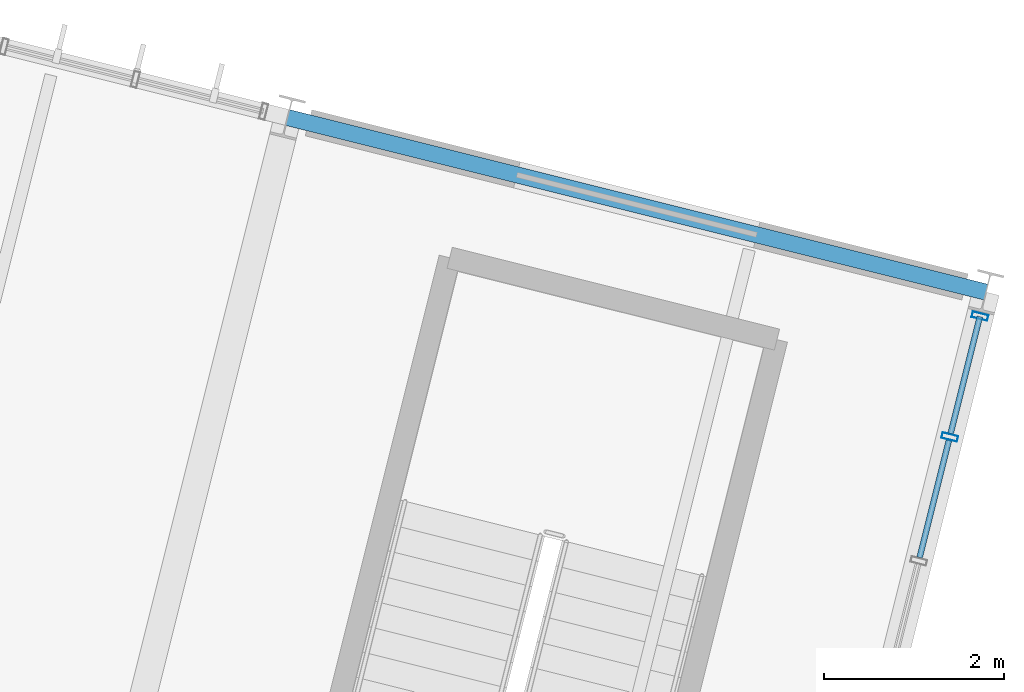
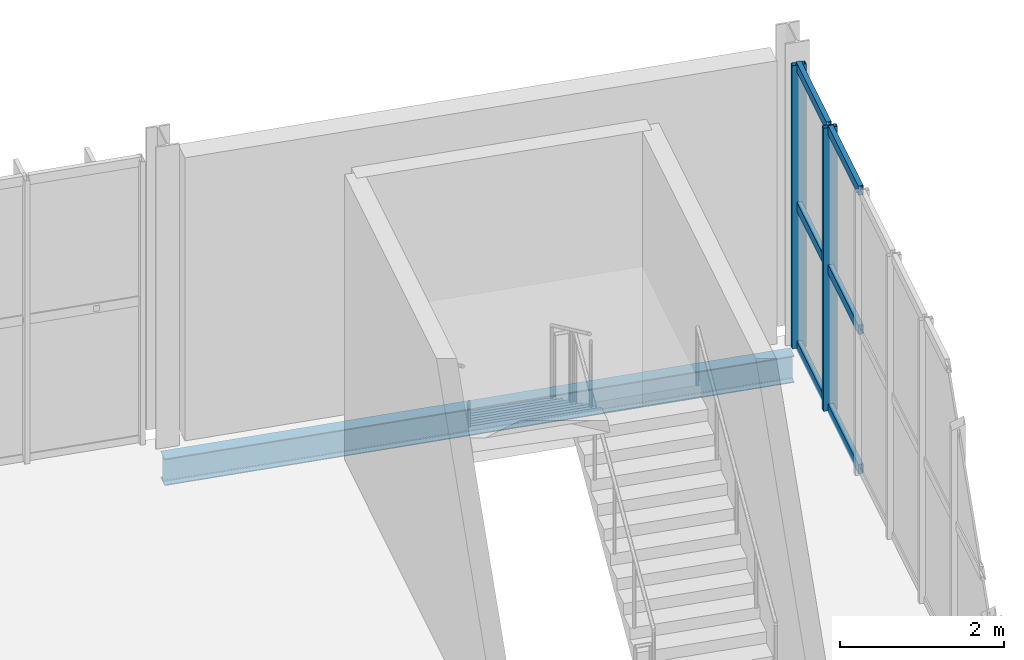
# One storey, part 103 of 152: 8 members, 1 beam, 1 element without a shape of its own.
"""IFC4 building model written with IfcOpenShell, lengths in metres."""

import ifcopenshell
import ifcopenshell.guid

model = None  # the IFC model being written
_history = None  # IfcOwnerHistory: only IFC2X3 demands one
_inside = {}  # id of a spatial element -> (the spatial element, [elements in it])
_under = {}  # id of a project, library or spatial element -> (it, [spatial elements below it])
_declared = {}  # id of a project -> (the project, [libraries it declares])
_typed = {}  # id of a type object -> (the type object, [elements of that type])
_made_of = {}  # id of a material, layer set ... -> (it, [elements and type objects made of it])


def new_model(schema):
    """Start an empty IFC model of exactly this schema.

    Asked for "IFC4X3", IfcOpenShell would pick the latest addendum, in which some entities
    have other attributes; the version numbers below select the first issue.
    IFC2X3 requires an IfcOwnerHistory on every rooted entity: one is made here for all.
    """
    global model, _history
    if schema == "IFC4X3":
        model = ifcopenshell.file(schema_version=(4, 3, 0, 0))
    else:
        model = ifcopenshell.file(schema=schema)
    _inside.clear()
    _under.clear()
    _declared.clear()
    _typed.clear()
    _made_of.clear()
    _history = None
    if model.schema == "IFC2X3":
        org = make("IfcOrganization", Name="unknown")
        user = make(
            "IfcPersonAndOrganization",
            ThePerson=make("IfcPerson", FamilyName="unknown"),
            TheOrganization=org,
        )
        app = make(
            "IfcApplication",
            ApplicationDeveloper=org,
            Version="unknown",
            ApplicationFullName="unknown",
            ApplicationIdentifier="unknown",
        )
        _history = make(
            "IfcOwnerHistory",
            OwningUser=user,
            OwningApplication=app,
            ChangeAction="ADDED",
            CreationDate=0,
        )
    return model


def make(cls, **values):
    """One entity of the class cls with the attributes given. An attribute that is None is left unset."""
    return model.create_entity(
        cls, **{name: value for name, value in values.items() if value is not None}
    )


def rooted(cls, **values):
    """An entity with a GlobalId (a new one), such as an element, a storey or a relation."""
    return make(cls, GlobalId=ifcopenshell.guid.new(), OwnerHistory=_history, **values)


def si_unit(unit_type, name, prefix=None):
    """IfcSIUnit, for example si_unit("LENGTHUNIT", "METRE", prefix="MILLI")."""
    return make("IfcSIUnit", UnitType=unit_type, Prefix=prefix, Name=name)


def derived_unit(unit_type, elements):
    """IfcDerivedUnit: a product of units, each with its exponent."""
    return make(
        "IfcDerivedUnit",
        Elements=[
            make("IfcDerivedUnitElement", Unit=unit, Exponent=power)
            for unit, power in elements
        ],
        UnitType=unit_type,
    )


def assignment(units):
    """IfcUnitAssignment: the units of a project."""
    return None if units is None else make("IfcUnitAssignment", Units=units)


def point(xyz):
    """IfcCartesianPoint."""
    return None if xyz is None else make("IfcCartesianPoint", Coordinates=xyz)


def direction(xyz):
    """IfcDirection."""
    return None if xyz is None else make("IfcDirection", DirectionRatios=xyz)


def frame(location, z_axis=None, x_axis=None):
    """IfcAxis2Placement3D, a coordinate frame: its origin and axes. An axis left out is left unset."""
    return make(
        "IfcAxis2Placement3D",
        Location=point(location),
        Axis=direction(z_axis),
        RefDirection=direction(x_axis),
    )


def frame_2d(location, x_axis=None):
    """IfcAxis2Placement2D, a coordinate frame in the plane: its origin and x axis."""
    return make(
        "IfcAxis2Placement2D", Location=point(location), RefDirection=direction(x_axis)
    )


def origin():
    """The frame at (0, 0, 0) with its axes left unset."""
    return frame((0.0, 0.0, 0.0))


def origin_2d():
    """The frame at (0, 0) in the plane with its x axis left unset."""
    return frame_2d((0.0, 0.0))


def place(relative_to, where):
    """IfcLocalPlacement: puts the frame where relative to a parent placement (None: the world)."""
    return make(
        "IfcLocalPlacement", PlacementRelTo=relative_to, RelativePlacement=where
    )


def context(
    kind, dimensions, precision=None, world=None, true_north=None, identifier=None
):
    """IfcGeometricRepresentationContext, for example the 3D "Model" context."""
    return make(
        "IfcGeometricRepresentationContext",
        ContextIdentifier=identifier,
        ContextType=kind,
        CoordinateSpaceDimension=dimensions,
        Precision=precision,
        WorldCoordinateSystem=world,
        TrueNorth=true_north,
    )


def subcontext(parent, identifier, kind, view, scale=None):
    """IfcGeometricRepresentationSubContext, for example "Body" below "Model"."""
    return make(
        "IfcGeometricRepresentationSubContext",
        ContextIdentifier=identifier,
        ContextType=kind,
        ParentContext=parent,
        TargetScale=scale,
        TargetView=view,
    )


def project(units=None, contexts=None):
    """IfcProject with its units and contexts."""
    return rooted(
        "IfcProject",
        Name="project",
        RepresentationContexts=contexts,
        UnitsInContext=assignment(units),
    )


def spatial(cls, under=None, at=None, **own):
    """A site, building, storey or space (cls), placed at a placement, below another one or the project."""
    s = rooted(cls, ObjectPlacement=at, **own)
    if under is not None:
        _under.setdefault(under.id(), (under, []))[1].append(s)
    return s


def profile(cls, at=None, kind="AREA", **sizes):
    """A parametric profile (cls). Its sizes go by their IFC names, for example OverallWidth=200.0."""
    return make(cls, ProfileType=kind, Position=at, **sizes)


def hollow_rectangle(**sizes):
    """IfcRectangleHollowProfileDef."""
    return profile("IfcRectangleHollowProfileDef", **sizes)


def i_section(**sizes):
    """IfcIShapeProfileDef."""
    return profile("IfcIShapeProfileDef", **sizes)


def extrude(swept, where, along, depth):
    """IfcExtrudedAreaSolid: the profile swept, set in the frame where, extruded along a direction by depth."""
    return make(
        "IfcExtrudedAreaSolid",
        SweptArea=swept,
        Position=where,
        ExtrudedDirection=direction(along),
        Depth=depth,
    )


def shape(context_of_items, identifier, shape_type, items):
    """IfcShapeRepresentation: the items that make up one representation, for example the "Body"."""
    return make(
        "IfcShapeRepresentation",
        ContextOfItems=context_of_items,
        RepresentationIdentifier=identifier,
        RepresentationType=shape_type,
        Items=items,
    )


def material(Name=None, Category=None):
    """IfcMaterial."""
    return make("IfcMaterial", Name=Name, Category=Category)


def material_profile(
    of_material, cross_section, Name=None, Category=None, Priority=None
):
    """IfcMaterialProfile: a cross section and its material."""
    return make(
        "IfcMaterialProfile",
        Name=Name,
        Material=of_material,
        Profile=cross_section,
        Priority=Priority,
        Category=Category,
    )


def profile_set(profiles, Name=None, composite=None):
    """IfcMaterialProfileSet."""
    return make(
        "IfcMaterialProfileSet",
        Name=Name,
        MaterialProfiles=profiles,
        CompositeProfile=composite,
    )


def made_of(thing, what):
    """Note that an element or type object is made of a material, layer set ...; save() writes the relation."""
    if what is not None:
        _made_of.setdefault(what.id(), (what, []))[1].append(thing)
    return thing


def type_object(cls, material=None, **own):
    """A type object (cls), such as IfcWallType, which elements share."""
    return made_of(rooted(cls, **own), material)


def element(
    cls,
    number,
    at=None,
    inside=None,
    cuts=None,
    type_object=None,
    material=None,
    context=None,
    identifier="Body",
    shape_type=None,
    held_by="IfcProductDefinitionShape",
    body=None,
    shapes=None,
    **own,
):
    """One element of the class cls, such as IfcWall. Its Tag is "e" and its number.

    at: its placement. inside: the storey or other place that contains it. cuts: it is an
    opening in that element (IfcRelVoidsElement). A single representation is given by context,
    identifier, shape_type and body (its items); several are given by shapes. held_by: the class
    of the entity that holds the representations. save() writes the other relations.
    """
    e = rooted(cls, Tag="e%d" % number, ObjectPlacement=at, **own)
    if body is not None:
        shapes = [shape(context, identifier, shape_type, body)]
    if shapes is not None:
        e.Representation = make(held_by, Representations=shapes)
    if inside is not None:
        _inside.setdefault(inside.id(), (inside, []))[1].append(e)
    if cuts is not None:
        rooted(
            "IfcRelVoidsElement", RelatingBuildingElement=cuts, RelatedOpeningElement=e
        )
    if type_object is not None:
        _typed.setdefault(type_object.id(), (type_object, []))[1].append(e)
    return made_of(e, material)


def aggregate(whole, parts):
    """IfcRelAggregates: a whole, such as a stair, and the parts it consists of."""
    return rooted("IfcRelAggregates", RelatingObject=whole, RelatedObjects=parts)


def save(model, path):
    """Write the relations noted so far, then the file.

    IfcRelAggregates (storeys below a building ...), IfcRelContainedInSpatialStructure (elements
    in a storey), IfcRelDefinesByType, IfcRelAssociatesMaterial and IfcRelDeclares: one each for
    every whole, place, type object, material and project.
    """
    for whole, parts in _under.values():
        aggregate(whole, parts)
    for where, things in _inside.values():
        rooted(
            "IfcRelContainedInSpatialStructure",
            RelatedElements=things,
            RelatingStructure=where,
        )
    for kind, things in _typed.values():
        rooted("IfcRelDefinesByType", RelatedObjects=things, RelatingType=kind)
    for what, things in _made_of.values():
        rooted("IfcRelAssociatesMaterial", RelatedObjects=things, RelatingMaterial=what)
    for by, libraries in _declared.values():
        rooted("IfcRelDeclares", RelatingContext=by, RelatedDefinitions=libraries)
    model.write(path)


model = new_model("IFC4")

# Units and contexts
model_context = context("Model", 3, precision=1e-05, world=origin(), true_north=direction((0.0, 1.0)))
body_context = subcontext(model_context, "Body", "Model", "MODEL_VIEW")
ifc_project = project(units=[si_unit("LENGTHUNIT", "METRE"), si_unit("AREAUNIT", "SQUARE_METRE"), si_unit("VOLUMEUNIT", "CUBIC_METRE"), si_unit("PLANEANGLEUNIT", "RADIAN"), si_unit("MASSUNIT", "GRAM", prefix="KILO"), si_unit("THERMODYNAMICTEMPERATUREUNIT", "KELVIN"), si_unit("TIMEUNIT", "SECOND"), derived_unit("THERMALTRANSMITTANCEUNIT", [(si_unit("MASSUNIT", "GRAM", prefix="KILO"), 1), (si_unit("THERMODYNAMICTEMPERATUREUNIT", "KELVIN"), -1), (si_unit("TIMEUNIT", "SECOND"), -3)])], contexts=[model_context])

# Site, building, storey
site_placement = place(None, origin())
site = spatial("IfcSite", under=ifc_project, at=site_placement, CompositionType="ELEMENT")
building_placement = place(site_placement, origin())
building = spatial("IfcBuilding", under=site, at=building_placement, Name="Cambertide Market Hall", CompositionType="ELEMENT")
storey_placement = place(building_placement, frame((0.0, 0.0, 5.39990234375)))
storey = spatial("IfcBuildingStorey", under=building, at=storey_placement, Name="L02", CompositionType="ELEMENT", Elevation=5.39990234375)

# Curtain wall, members
ifc_material_1 = material(Name="Marine Anodized Aluminium 6063-T6 AA25", Category="aluminium")
curtain_wall_type = type_object("IfcCurtainWallType", Name="Cooking School Classroom Curtain Wall", PredefinedType="USERDEFINED", material=ifc_material_1)
curtain_wall_placement = place(storey_placement, origin())
curtain_wall = element("IfcCurtainWall", 1, at=curtain_wall_placement, inside=storey, type_object=curtain_wall_type, Name="Level 2 Curtain Wall CW-V4E-L02-3", ObjectType="UNITIZED CURTAIN WALL", PredefinedType="USERDEFINED")
ifc_material_2 = material(Name="Champagne Marine Anodized Aluminium 6063-T6 AA25", Category="aluminium")
ifc_material_profile_1 = material_profile(ifc_material_2, hollow_rectangle(XDim=0.06494140625, YDim=0.179931640625, WallThickness=0.00390625, at=origin_2d()), Name="ALU MULLION 65x180")
ifc_profile_set_1 = profile_set([ifc_material_profile_1], Name="Champagne Marine Anodized Aluminium 6063-T6 AA25")
member_type_1 = type_object("IfcMemberType", Name="Curtain Wall Mullion ALU MULLION 65x180", PredefinedType="MULLION", material=ifc_profile_set_1)
member_1_placement = place(storey_placement, frame((176.57080078125, 110.40478515625, 0.0), z_axis=(0.0, 0.0, 1.0), x_axis=(-0.242535569805, -0.970142513953, 0.0)))
member_1 = element("IfcMember", 2, at=member_1_placement, type_object=member_type_1, Name="CW-V4E-L02-3 Mullion 1", PredefinedType="MULLION", context=body_context, shape_type="SweptSolid", body=[
    extrude(hollow_rectangle(XDim=0.06494140625, YDim=0.179931640625, WallThickness=0.00390625, at=origin_2d()), origin(), (0.0, 0.0, 1.0), 4.22021484375),
])
member_2_placement = place(storey_placement, frame((176.23486328125, 109.06103515625, 0.0), z_axis=(0.0, 0.0, 1.0), x_axis=(-0.242535569805, -0.970142513953, 0.0)))
member_2 = element("IfcMember", 3, at=member_2_placement, type_object=member_type_1, Name="CW-V4E-L02-3 Mullion 2", PredefinedType="MULLION", context=body_context, shape_type="SweptSolid", body=[
    extrude(hollow_rectangle(XDim=0.06494140625, YDim=0.179931640625, WallThickness=0.00390625, at=origin_2d()), origin(), (0.0, 0.0, 1.0), 4.22021484375),
])
ifc_material_3 = material(Name="Champagne Marine Anodized Aluminium 6063-T6 AA25", Category="aluminium")
ifc_material_profile_2 = material_profile(ifc_material_3, hollow_rectangle(XDim=0.06494140625, YDim=0.139892578125, WallThickness=0.00341796875, at=origin_2d()), Name="ALU TRANSOM 65x140")
ifc_profile_set_2 = profile_set([ifc_material_profile_2], Name="Champagne Marine Anodized Aluminium 6063-T6 AA25")
member_type_2 = type_object("IfcMemberType", Name="Curtain Wall Transom ALU TRANSOM 65x140", PredefinedType="USERDEFINED", material=ifc_profile_set_2)
member_3_placement = place(storey_placement, frame((176.569580078125, 110.39990234375, 0.03515625), z_axis=(-0.242492756941, -0.970153216163, 0.0), x_axis=(0.970153216163, -0.242492756941, 0.0)))
member_3 = element("IfcMember", 4, at=member_3_placement, type_object=member_type_2, Name="CW-V4E-L02-3 Transom 1-1", ObjectType="TRANSOM", PredefinedType="USERDEFINED", context=body_context, shape_type="SweptSolid", body=[
    extrude(hollow_rectangle(XDim=0.06494140625, YDim=0.139892578125, WallThickness=0.00341796875, at=origin_2d()), origin(), (0.0, 0.0, 1.0), 1.340087890625),
])
member_4_placement = place(storey_placement, frame((176.225341796875, 109.022216796875, 0.03515625), z_axis=(-0.242535625036, -0.970142500145, 0.0), x_axis=(0.970142500145, -0.242535625036, 0.0)))
member_4 = element("IfcMember", 5, at=member_4_placement, type_object=member_type_2, Name="CW-V4E-L02-3 Transom 1-2", ObjectType="TRANSOM", PredefinedType="USERDEFINED", context=body_context, shape_type="SweptSolid", body=[
    extrude(hollow_rectangle(XDim=0.06494140625, YDim=0.139892578125, WallThickness=0.00341796875, at=origin_2d()), origin(), (0.0, 0.0, 1.0), 1.33984375),
])
member_5_placement = place(storey_placement, frame((176.569580078125, 110.39990234375, 2.110107421875), z_axis=(-0.242492756941, -0.970153216163, 0.0), x_axis=(0.970153216163, -0.242492756941, 0.0)))
member_5 = element("IfcMember", 6, at=member_5_placement, type_object=member_type_2, Name="CW-V4E-L02-3 Transom 2-1", ObjectType="TRANSOM", PredefinedType="USERDEFINED", context=body_context, shape_type="SweptSolid", body=[
    extrude(hollow_rectangle(XDim=0.06494140625, YDim=0.139892578125, WallThickness=0.00341796875, at=origin_2d()), origin(), (0.0, 0.0, 1.0), 1.340087890625),
])
member_6_placement = place(storey_placement, frame((176.225341796875, 109.022216796875, 2.110107421875), z_axis=(-0.242535625036, -0.970142500145, 0.0), x_axis=(0.970142500145, -0.242535625036, 0.0)))
member_6 = element("IfcMember", 7, at=member_6_placement, type_object=member_type_2, Name="CW-V4E-L02-3 Transom 2-2", ObjectType="TRANSOM", PredefinedType="USERDEFINED", context=body_context, shape_type="SweptSolid", body=[
    extrude(hollow_rectangle(XDim=0.06494140625, YDim=0.139892578125, WallThickness=0.00341796875, at=origin_2d()), origin(), (0.0, 0.0, 1.0), 1.33984375),
])
member_7_placement = place(storey_placement, frame((176.569580078125, 110.39990234375, 4.18505859375), z_axis=(-0.242492756941, -0.970153216163, 0.0), x_axis=(0.970153216163, -0.242492756941, 0.0)))
member_7 = element("IfcMember", 8, at=member_7_placement, type_object=member_type_2, Name="CW-V4E-L02-3 Transom 3-1", ObjectType="TRANSOM", PredefinedType="USERDEFINED", context=body_context, shape_type="SweptSolid", body=[
    extrude(hollow_rectangle(XDim=0.06494140625, YDim=0.139892578125, WallThickness=0.00341796875, at=origin_2d()), origin(), (0.0, 0.0, 1.0), 1.340087890625),
])
member_8_placement = place(storey_placement, frame((176.225341796875, 109.022216796875, 4.18505859375), z_axis=(-0.242535625036, -0.970142500145, 0.0), x_axis=(0.970142500145, -0.242535625036, 0.0)))
member_8 = element("IfcMember", 9, at=member_8_placement, type_object=member_type_2, Name="CW-V4E-L02-3 Transom 3-2", ObjectType="TRANSOM", PredefinedType="USERDEFINED", context=body_context, shape_type="SweptSolid", body=[
    extrude(hollow_rectangle(XDim=0.06494140625, YDim=0.139892578125, WallThickness=0.00341796875, at=origin_2d()), origin(), (0.0, 0.0, 1.0), 1.33984375),
])
aggregate(curtain_wall, [member_1, member_2, member_3, member_4, member_5, member_6, member_7, member_8])

# Beam
ifc_material_4 = material(Name="Steel S355", Category="steel")
ifc_material_profile_3 = material_profile(ifc_material_4, i_section(OverallWidth=0.179931640625, OverallDepth=0.39990234375, WebThickness=0.008544921875, FlangeThickness=0.013427734375, FilletRadius=0.02099609375, at=origin_2d()), Name="IPE 400")
ifc_profile_set_3 = profile_set([ifc_material_profile_3], Name="Steel S355")
beam_type = type_object("IfcBeamType", Name="Perimeter Spandrel Beam IPE 400", PredefinedType="SPANDREL", material=ifc_profile_set_3)
beam_placement = place(storey_placement, frame((168.87646484375, 112.61181640625, -0.46484375), z_axis=(0.970146090314, -0.242521263911, 0.0), x_axis=(0.242521263911, 0.970146090314, 0.0)))
element("IfcBeam", 10, at=beam_placement, inside=storey, type_object=beam_type, Name="Level 2 Spandrel BM-V4U-L02-8-4", PredefinedType="SPANDREL", context=body_context, shape_type="SweptSolid", body=[
    extrude(i_section(OverallWidth=0.179931640625, OverallDepth=0.39990234375, WebThickness=0.008544921875, FlangeThickness=0.013427734375, FilletRadius=0.02099609375, at=origin_2d()), origin(), (0.0, 0.0, 1.0), 8.0),
])

save(model, "model.ifc")
